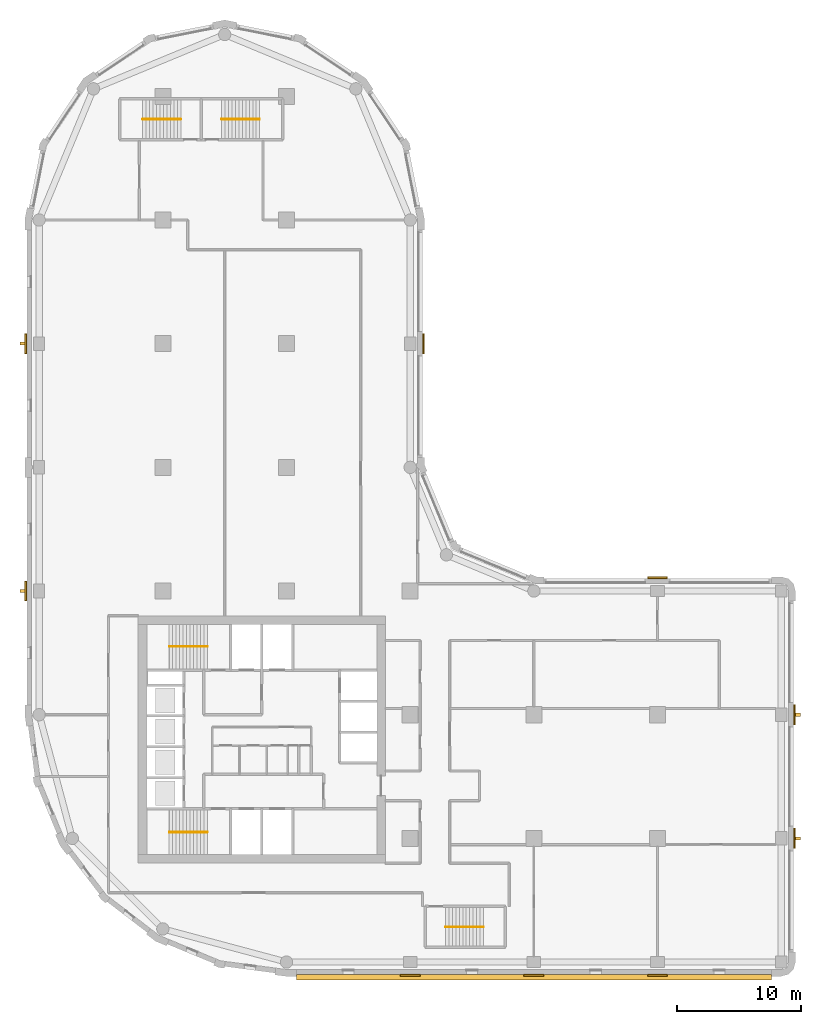
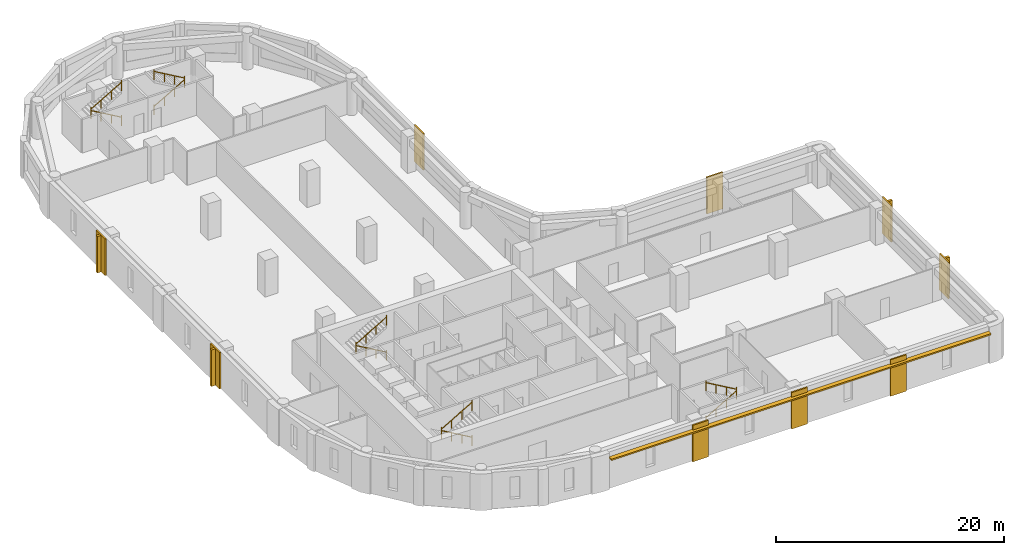
# One storey, part 8 of 9: 10 railings, 9 coverings, 5 shading devices.
"""IFC4 building model written with IfcOpenShell, lengths in metres."""

from ifc_helpers import new_model, si_unit, direction, frame, origin, origin_2d, place, context, subcontext, project, spatial, polyline, rectangle, circle, outline, extrude, material, layer, layer_set, type_object, element, save


model = new_model("IFC4")

# Units and contexts
model_context = context("Model", 3, precision=1e-05, world=origin(), true_north=direction((0.0, 1.0)))
body_context = subcontext(model_context, "Body", "Model", "MODEL_VIEW")
ifc_project = project(units=[si_unit("LENGTHUNIT", "METRE"), si_unit("AREAUNIT", "SQUARE_METRE"), si_unit("VOLUMEUNIT", "CUBIC_METRE"), si_unit("PLANEANGLEUNIT", "RADIAN"), si_unit("MASSUNIT", "GRAM", prefix="KILO")], contexts=[model_context])

# Site, building, storey
site_placement = place(None, origin())
site = spatial("IfcSite", under=ifc_project, at=site_placement, CompositionType="ELEMENT")
building_placement = place(site_placement, origin())
building = spatial("IfcBuilding", under=site, at=building_placement, Name="Qaws Garden Tower", CompositionType="ELEMENT")
storey_placement = place(building_placement, frame((0.0, 0.0, 213.60009765625)))
storey = spatial("IfcBuildingStorey", under=building, at=storey_placement, Name="L52", CompositionType="ELEMENT", Elevation=213.60009765625)

# Coverings
ifc_material_1 = material(Name="Clay facing brick masonry", Category="masonry")
ifc_layer_1 = layer(ifc_material_1, 0.14990234375)
ifc_layer_set_1 = layer_set([ifc_layer_1], Name="Clay facing brick masonry")
covering_type = type_object("IfcCoveringType", Name="Brick pilaster facing 150 x 1600", PredefinedType="CLADDING", material=ifc_layer_set_1)
placement = place(storey_placement, origin())
element("IfcCovering", 1, at=placement, inside=storey, type_object=covering_type, Name="E-L52-pier-01", PredefinedType="CLADDING", context=body_context, shape_type="SweptSolid", body=[
    extrude(outline(polyline([(29.199951171875, -1.0), (30.800048828125, -1.0), (30.800048828125, -1.14990234375), (29.199951171875, -1.14990234375), (29.199951171875, -1.0)])), origin(), (0.0, 0.0, 1.0), 3.89990234375),
])
element("IfcCovering", 2, at=placement, inside=storey, type_object=covering_type, Name="E-L52-pier-02", PredefinedType="CLADDING", context=body_context, shape_type="SweptSolid", body=[
    extrude(outline(polyline([(39.199951171875, -1.0), (40.800048828125, -1.0), (40.800048828125, -1.14990234375), (39.199951171875, -1.14990234375), (39.199951171875, -1.0)])), origin(), (0.0, 0.0, 1.0), 3.89990234375),
])
element("IfcCovering", 3, at=placement, inside=storey, type_object=covering_type, Name="E-L52-pier-03", PredefinedType="CLADDING", context=body_context, shape_type="SweptSolid", body=[
    extrude(outline(polyline([(49.199951171875, -1.0), (50.800048828125, -1.0), (50.800048828125, -1.14990234375), (49.199951171875, -1.14990234375), (49.199951171875, -1.0)])), origin(), (0.0, 0.0, 1.0), 3.89990234375),
])
element("IfcCovering", 4, at=placement, inside=storey, type_object=covering_type, Name="E-L52-pier-05", PredefinedType="CLADDING", context=body_context, shape_type="SweptSolid", body=[
    extrude(outline(polyline([(61.0, 9.199951171875), (61.0, 10.800048828125), (61.14990234375, 10.800048828125), (61.14990234375, 9.199951171875), (61.0, 9.199951171875)])), origin(), (0.0, 0.0, 1.0), 3.89990234375),
])
element("IfcCovering", 5, at=placement, inside=storey, type_object=covering_type, Name="E-L52-pier-06", PredefinedType="CLADDING", context=body_context, shape_type="SweptSolid", body=[
    extrude(outline(polyline([(61.0, 19.199951171875), (61.0, 20.800048828125), (61.14990234375, 20.800048828125), (61.14990234375, 19.199951171875), (61.0, 19.199951171875)])), origin(), (0.0, 0.0, 1.0), 3.89990234375),
])
element("IfcCovering", 6, at=placement, inside=storey, type_object=covering_type, Name="E-L52-pier-08", PredefinedType="CLADDING", context=body_context, shape_type="SweptSolid", body=[
    extrude(outline(polyline([(50.800048828125, 31.0), (49.199951171875, 31.0), (49.199951171875, 31.14990234375), (50.800048828125, 31.14990234375), (50.800048828125, 31.0)])), origin(), (0.0, 0.0, 1.0), 3.89990234375),
])
element("IfcCovering", 7, at=placement, inside=storey, type_object=covering_type, Name="E-L52-pier-12", PredefinedType="CLADDING", context=body_context, shape_type="SweptSolid", body=[
    extrude(outline(polyline([(31.0, 49.199951171875), (31.0, 50.800048828125), (31.14990234375, 50.800048828125), (31.14990234375, 49.199951171875), (31.0, 49.199951171875)])), origin(), (0.0, 0.0, 1.0), 3.89990234375),
])
element("IfcCovering", 8, at=placement, inside=storey, type_object=covering_type, Name="E-L52-pier-22", PredefinedType="CLADDING", context=body_context, shape_type="SweptSolid", body=[
    extrude(outline(polyline([(-1.0, 50.800048828125), (-1.0, 49.199951171875), (-1.14990234375, 49.199951171875), (-1.14990234375, 50.800048828125), (-1.0, 50.800048828125)])), origin(), (0.0, 0.0, 1.0), 3.89990234375),
])
element("IfcCovering", 9, at=placement, inside=storey, type_object=covering_type, Name="E-L52-pier-24", PredefinedType="CLADDING", context=body_context, shape_type="SweptSolid", body=[
    extrude(outline(polyline([(-1.0, 30.800048828125), (-1.0, 29.199951171875), (-1.14990234375, 29.199951171875), (-1.14990234375, 30.800048828125), (-1.0, 30.800048828125)])), origin(), (0.0, 0.0, 1.0), 3.89990234375),
])

# Shading devices
ifc_material_2 = material(Name="Clay facing brick masonry", Category="masonry")
ifc_layer_2 = layer(ifc_material_2, 0.14990234375)
ifc_layer_set_2 = layer_set([ifc_layer_2], Name="Clay facing brick masonry")
shading_device_type_1 = type_object("IfcShadingDeviceType", Name="Brick sunshade band 450 x 150", PredefinedType="JALOUSIE", material=ifc_layer_set_2)
shading_device_placement = place(storey_placement, frame((0.0, 0.0, 3.25)))
element("IfcShadingDevice", 10, at=shading_device_placement, inside=storey, type_object=shading_device_type_1, Name="SUNSHADE 00", PredefinedType="JALOUSIE", context=body_context, shape_type="SweptSolid", body=[
    extrude(outline(polyline([(20.800048828125, -1.0), (20.800048828125, -1.449951171875), (59.199951171875, -1.449951171875), (59.199951171875, -1.0), (50.800048828125, -1.0), (50.800048828125, -1.14990234375), (49.199951171875, -1.14990234375), (49.199951171875, -1.0), (40.800048828125, -1.0), (40.800048828125, -1.14990234375), (39.199951171875, -1.14990234375), (39.199951171875, -1.0), (30.800048828125, -1.0), (30.800048828125, -1.14990234375), (29.199951171875, -1.14990234375), (29.199951171875, -1.0), (20.800048828125, -1.0)])), origin(), (0.0, 0.0, 1.0), 0.14990234375),
])
ifc_material_3 = material(Name="Clay facing brick masonry", Category="masonry")
ifc_layer_3 = layer(ifc_material_3, 0.25)
ifc_layer_set_3 = layer_set([ifc_layer_3], Name="Clay facing brick masonry")
shading_device_type_2 = type_object("IfcShadingDeviceType", Name="Brick-faced fin 250 x 400", PredefinedType="USERDEFINED", material=ifc_layer_set_3)
for number, where, z_axis, x_axis, name in (
    (11, (61.35009765625, 10.0, 0.0), (0.0, 0.0, 1.0), (0.0, 1.0, 0.0), "FIN 05"),
    (12, (61.35009765625, 20.0, 0.0), (0.0, 0.0, 1.0), (0.0, 1.0, 0.0), "FIN 06"),
    (13, (-1.35009765625, 50.0, 0.0), (0.0, 0.0, 1.0), (0.0, -1.0, 0.0), "FIN 22"),
    (14, (-1.35009765625, 30.0, 0.0), (0.0, 0.0, 1.0), (0.0, -1.0, 0.0), "FIN 24"),
):
    element("IfcShadingDevice", number, at=place(storey_placement, frame(where, z_axis=z_axis, x_axis=x_axis)), inside=storey, type_object=shading_device_type_2, Name=name, ObjectType="FIN", PredefinedType="USERDEFINED", context=body_context, shape_type="SweptSolid", body=[
        extrude(rectangle(XDim=0.25, YDim=0.39990234375, at=origin_2d()), origin(), (0.0, 0.0, 1.0), 3.89990234375),
    ])

# Railings
ifc_material_4 = material(Name="Steel S355", Category="steel")
railing_type = type_object("IfcRailingType", Name="Stair handrail 900", PredefinedType="HANDRAIL", material=ifc_material_4)
railing_1_placement = place(storey_placement, frame((13.60009765625, 10.5, 0.162353515625)))
element("IfcRailing", 15, at=railing_1_placement, inside=storey, type_object=railing_type, Name="Stair 1 handrail", PredefinedType="HANDRAIL", context=body_context, shape_type="SweptSolid", body=[
    extrude(circle(Radius=0.02392578125, at=origin_2d()), frame((0.0, 0.0, 0.8759765625), z_axis=(-0.864890721111, 0.0, 0.501960198159), x_axis=(0.0, -1.0, 0.0)), (0.0, 0.0, 1.0), 3.561279296875),
    extrude(circle(Radius=0.02099609375, at=origin_2d()), origin(), (0.0, 0.0, 1.0), 1.06201171875),
    extrude(circle(Radius=0.02099609375, at=origin_2d()), frame((-1.026611328125, 0.0, 0.595947265625)), (0.0, 0.0, 1.0), 0.851806640625),
    extrude(circle(Radius=0.02099609375, at=origin_2d()), frame((-2.053466796875, 0.0, 1.191650390625)), (0.0, 0.0, 1.0), 0.851806640625),
    extrude(circle(Radius=0.02099609375, at=origin_2d()), frame((-3.080078125, 0.0, 1.78759765625)), (0.0, 0.0, 1.0), 1.06201171875),
])
railing_2_placement = place(storey_placement, frame((10.52001953125, 10.5, 2.1123046875)))
element("IfcRailing", 16, at=railing_2_placement, inside=storey, type_object=railing_type, Name="Stair 1 handrail", PredefinedType="HANDRAIL", context=body_context, shape_type="SweptSolid", body=[
    extrude(circle(Radius=0.02392578125, at=origin_2d()), frame((0.0, 0.0, 0.8759765625), z_axis=(0.864890721111, 0.0, 0.501960198159), x_axis=(0.0, 1.0, 0.0)), (0.0, 0.0, 1.0), 3.561279296875),
    extrude(circle(Radius=0.02099609375, at=origin_2d()), origin(), (0.0, 0.0, 1.0), 1.06201171875),
    extrude(circle(Radius=0.02099609375, at=origin_2d()), frame((1.026611328125, 0.0, 0.595947265625)), (0.0, 0.0, 1.0), 0.851806640625),
    extrude(circle(Radius=0.02099609375, at=origin_2d()), frame((2.053466796875, 0.0, 1.191650390625)), (0.0, 0.0, 1.0), 0.851806640625),
    extrude(circle(Radius=0.02099609375, at=origin_2d()), frame((3.080078125, 0.0, 1.78759765625)), (0.0, 0.0, 1.0), 1.06201171875),
])
railing_3_placement = place(storey_placement, frame((13.60009765625, 25.5, 0.162353515625)))
element("IfcRailing", 17, at=railing_3_placement, inside=storey, type_object=railing_type, Name="Stair 4 handrail", PredefinedType="HANDRAIL", context=body_context, shape_type="SweptSolid", body=[
    extrude(circle(Radius=0.02392578125, at=origin_2d()), frame((0.0, 0.0, 0.8759765625), z_axis=(-0.864890721111, 0.0, 0.501960198159), x_axis=(0.0, -1.0, 0.0)), (0.0, 0.0, 1.0), 3.561279296875),
    extrude(circle(Radius=0.02099609375, at=origin_2d()), origin(), (0.0, 0.0, 1.0), 1.06201171875),
    extrude(circle(Radius=0.02099609375, at=origin_2d()), frame((-1.026611328125, 0.0, 0.595947265625)), (0.0, 0.0, 1.0), 0.851806640625),
    extrude(circle(Radius=0.02099609375, at=origin_2d()), frame((-2.053466796875, 0.0, 1.191650390625)), (0.0, 0.0, 1.0), 0.851806640625),
    extrude(circle(Radius=0.02099609375, at=origin_2d()), frame((-3.080078125, 0.0, 1.78759765625)), (0.0, 0.0, 1.0), 1.06201171875),
])
railing_4_placement = place(storey_placement, frame((10.52001953125, 25.5, 2.1123046875)))
element("IfcRailing", 18, at=railing_4_placement, inside=storey, type_object=railing_type, Name="Stair 4 handrail", PredefinedType="HANDRAIL", context=body_context, shape_type="SweptSolid", body=[
    extrude(circle(Radius=0.02392578125, at=origin_2d()), frame((0.0, 0.0, 0.8759765625), z_axis=(0.864890721111, 0.0, 0.501960198159), x_axis=(0.0, 1.0, 0.0)), (0.0, 0.0, 1.0), 3.561279296875),
    extrude(circle(Radius=0.02099609375, at=origin_2d()), origin(), (0.0, 0.0, 1.0), 1.06201171875),
    extrude(circle(Radius=0.02099609375, at=origin_2d()), frame((1.026611328125, 0.0, 0.595947265625)), (0.0, 0.0, 1.0), 0.851806640625),
    extrude(circle(Radius=0.02099609375, at=origin_2d()), frame((2.053466796875, 0.0, 1.191650390625)), (0.0, 0.0, 1.0), 0.851806640625),
    extrude(circle(Radius=0.02099609375, at=origin_2d()), frame((3.080078125, 0.0, 1.78759765625)), (0.0, 0.0, 1.0), 1.06201171875),
])
railing_5_placement = place(storey_placement, frame((32.85009765625, 2.85009765625, 0.162353515625)))
element("IfcRailing", 19, at=railing_5_placement, inside=storey, type_object=railing_type, Name="Stair 5 handrail", PredefinedType="HANDRAIL", context=body_context, shape_type="SweptSolid", body=[
    extrude(circle(Radius=0.02392578125, at=origin_2d()), frame((0.0, 0.0, 0.8759765625), z_axis=(0.864873446163, 0.0, 0.501989962173), x_axis=(0.0, 1.0, 0.0)), (0.0, 0.0, 1.0), 3.56103515625),
    extrude(circle(Radius=0.02099609375, at=origin_2d()), origin(), (0.0, 0.0, 1.0), 1.06201171875),
    extrude(circle(Radius=0.02099609375, at=origin_2d()), frame((1.026611328125, 0.0, 0.595947265625)), (0.0, 0.0, 1.0), 0.851806640625),
    extrude(circle(Radius=0.02099609375, at=origin_2d()), frame((2.05322265625, 0.0, 1.191650390625)), (0.0, 0.0, 1.0), 0.851806640625),
    extrude(circle(Radius=0.02099609375, at=origin_2d()), frame((3.079833984375, 0.0, 1.78759765625)), (0.0, 0.0, 1.0), 1.06201171875),
])
for number, where, name in (
    (20, (35.929931640625, 2.85009765625, 2.1123046875), "Stair 5 handrail"),
    (21, (11.449951171875, 68.14990234375, 0.162353515625), "Stair 6 handrail"),
):
    element("IfcRailing", number, at=place(storey_placement, frame(where)), inside=storey, type_object=railing_type, Name=name, PredefinedType="HANDRAIL", context=body_context, shape_type="SweptSolid", body=[
        extrude(circle(Radius=0.02392578125, at=origin_2d()), frame((0.0, 0.0, 0.8759765625), z_axis=(-0.864873446163, 0.0, 0.501989962173), x_axis=(0.0, -1.0, 0.0)), (0.0, 0.0, 1.0), 3.56103515625),
        extrude(circle(Radius=0.02099609375, at=origin_2d()), origin(), (0.0, 0.0, 1.0), 1.06201171875),
        extrude(circle(Radius=0.02099609375, at=origin_2d()), frame((-1.026611328125, 0.0, 0.595947265625)), (0.0, 0.0, 1.0), 0.851806640625),
        extrude(circle(Radius=0.02099609375, at=origin_2d()), frame((-2.05322265625, 0.0, 1.191650390625)), (0.0, 0.0, 1.0), 0.851806640625),
        extrude(circle(Radius=0.02099609375, at=origin_2d()), frame((-3.079833984375, 0.0, 1.78759765625)), (0.0, 0.0, 1.0), 1.06201171875),
    ])
railing_6_placement = place(storey_placement, frame((8.3701171875, 68.14990234375, 2.1123046875)))
element("IfcRailing", 22, at=railing_6_placement, inside=storey, type_object=railing_type, Name="Stair 6 handrail", PredefinedType="HANDRAIL", context=body_context, shape_type="SweptSolid", body=[
    extrude(circle(Radius=0.02392578125, at=origin_2d()), frame((0.0, 0.0, 0.8759765625), z_axis=(0.864873446163, 0.0, 0.501989962173), x_axis=(0.0, 1.0, 0.0)), (0.0, 0.0, 1.0), 3.56103515625),
    extrude(circle(Radius=0.02099609375, at=origin_2d()), origin(), (0.0, 0.0, 1.0), 1.06201171875),
    extrude(circle(Radius=0.02099609375, at=origin_2d()), frame((1.026611328125, 0.0, 0.595947265625)), (0.0, 0.0, 1.0), 0.851806640625),
    extrude(circle(Radius=0.02099609375, at=origin_2d()), frame((2.05322265625, 0.0, 1.191650390625)), (0.0, 0.0, 1.0), 0.851806640625),
    extrude(circle(Radius=0.02099609375, at=origin_2d()), frame((3.079833984375, 0.0, 1.78759765625)), (0.0, 0.0, 1.0), 1.06201171875),
])
railing_7_placement = place(storey_placement, frame((14.75, 68.14990234375, 0.162353515625)))
element("IfcRailing", 23, at=railing_7_placement, inside=storey, type_object=railing_type, Name="Stair 7 handrail", PredefinedType="HANDRAIL", context=body_context, shape_type="SweptSolid", body=[
    extrude(circle(Radius=0.02392578125, at=origin_2d()), frame((0.0, 0.0, 0.8759765625), z_axis=(0.864890721111, 0.0, 0.501960198159), x_axis=(0.0, 1.0, 0.0)), (0.0, 0.0, 1.0), 3.561279296875),
    extrude(circle(Radius=0.02099609375, at=origin_2d()), origin(), (0.0, 0.0, 1.0), 1.06201171875),
    extrude(circle(Radius=0.02099609375, at=origin_2d()), frame((1.026611328125, 0.0, 0.595947265625)), (0.0, 0.0, 1.0), 0.851806640625),
    extrude(circle(Radius=0.02099609375, at=origin_2d()), frame((2.053466796875, 0.0, 1.191650390625)), (0.0, 0.0, 1.0), 0.851806640625),
    extrude(circle(Radius=0.02099609375, at=origin_2d()), frame((3.080078125, 0.0, 1.78759765625)), (0.0, 0.0, 1.0), 1.06201171875),
])
railing_8_placement = place(storey_placement, frame((17.830078125, 68.14990234375, 2.1123046875)))
element("IfcRailing", 24, at=railing_8_placement, inside=storey, type_object=railing_type, Name="Stair 7 handrail", PredefinedType="HANDRAIL", context=body_context, shape_type="SweptSolid", body=[
    extrude(circle(Radius=0.02392578125, at=origin_2d()), frame((0.0, 0.0, 0.8759765625), z_axis=(-0.864890721111, 0.0, 0.501960198159), x_axis=(0.0, -1.0, 0.0)), (0.0, 0.0, 1.0), 3.561279296875),
    extrude(circle(Radius=0.02099609375, at=origin_2d()), origin(), (0.0, 0.0, 1.0), 1.06201171875),
    extrude(circle(Radius=0.02099609375, at=origin_2d()), frame((-1.026611328125, 0.0, 0.595947265625)), (0.0, 0.0, 1.0), 0.851806640625),
    extrude(circle(Radius=0.02099609375, at=origin_2d()), frame((-2.053466796875, 0.0, 1.191650390625)), (0.0, 0.0, 1.0), 0.851806640625),
    extrude(circle(Radius=0.02099609375, at=origin_2d()), frame((-3.080078125, 0.0, 1.78759765625)), (0.0, 0.0, 1.0), 1.06201171875),
])

save(model, "model.ifc")
